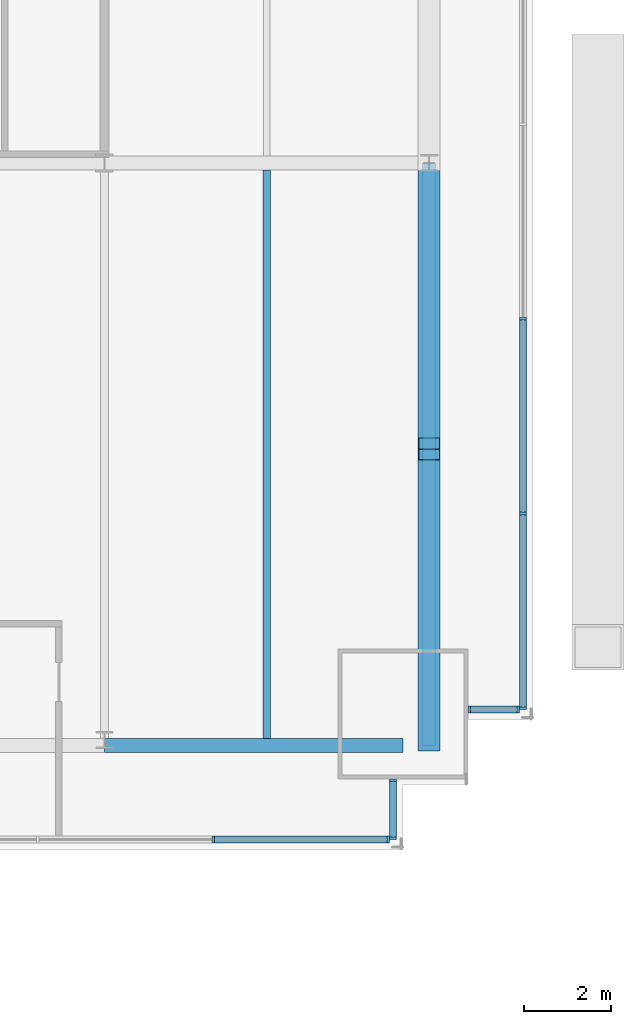
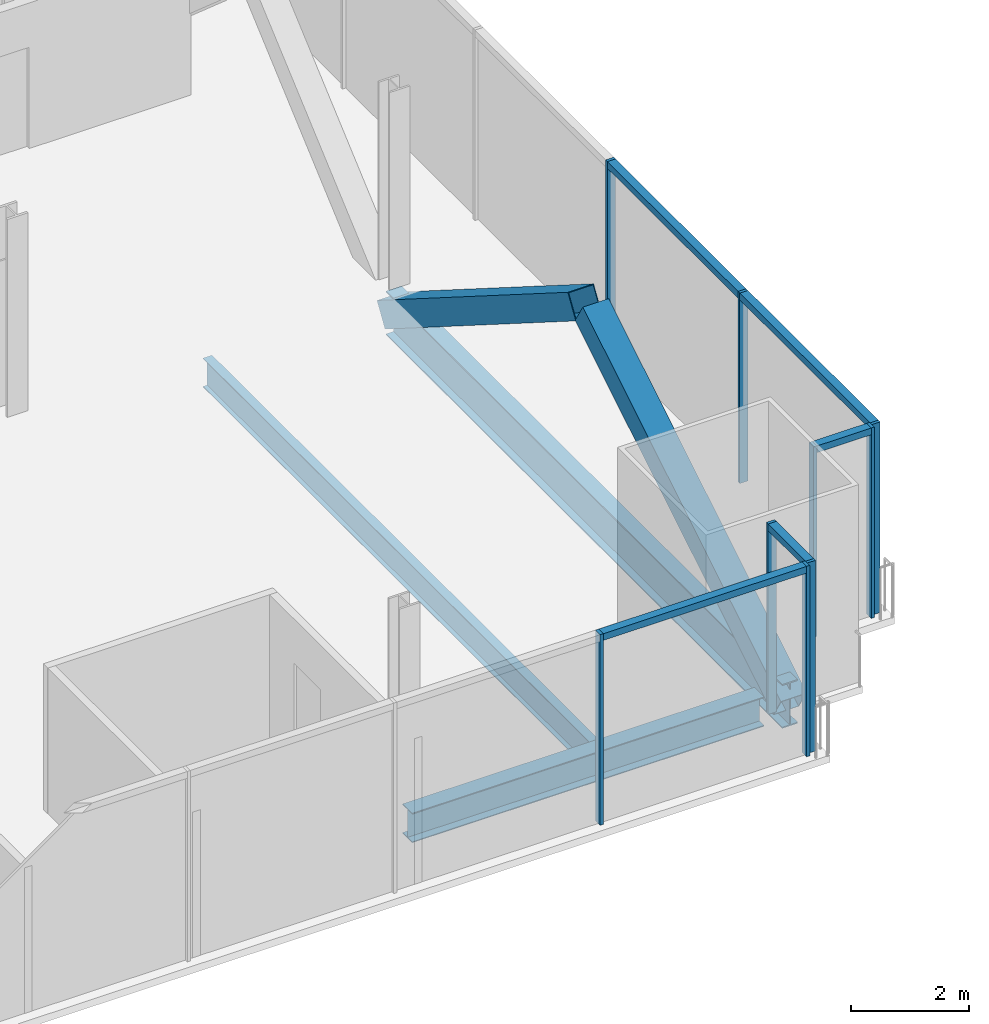
# One storey, part 13 of 23: 16 members, 3 beams, 4 elements without a shape of their own.
"""IFC4 building model written with IfcOpenShell, lengths in metres."""

from ifc_helpers import new_model, si_unit, direction, frame, origin, origin_2d, place, context, subcontext, project, spatial, rectangle, hollow_rectangle, i_section, extrude, material, material_profile, profile_set, type_object, element, aggregate, save


model = new_model("IFC4")

# Units and contexts
model_context = context("Model", 3, precision=1e-05, world=origin(), true_north=direction((0.0, 1.0)))
body_context = subcontext(model_context, "Body", "Model", "MODEL_VIEW")
ifc_project = project(units=[si_unit("LENGTHUNIT", "METRE"), si_unit("AREAUNIT", "SQUARE_METRE"), si_unit("VOLUMEUNIT", "CUBIC_METRE"), si_unit("PLANEANGLEUNIT", "RADIAN"), si_unit("MASSUNIT", "GRAM", prefix="KILO")], contexts=[model_context])

# Site, building, storey
site_placement = place(None, origin())
site = spatial("IfcSite", under=ifc_project, at=site_placement, CompositionType="ELEMENT")
building_placement = place(site_placement, origin())
building = spatial("IfcBuilding", under=site, at=building_placement, Name="Bicima Exchange Tower", CompositionType="ELEMENT")
storey_placement = place(building_placement, frame((0.0, 0.0, 110.39990234375)))
storey = spatial("IfcBuildingStorey", under=building, at=storey_placement, Name="L23", CompositionType="ELEMENT", Elevation=110.39990234375)

# Curtain wall, members
ifc_material_1 = material(Name="Anodised bronze aluminium", Category="aluminium")
curtain_wall_type_1 = type_object("IfcCurtainWallType", Name="End face glass wall", PredefinedType="NOTDEFINED", material=ifc_material_1)
curtain_wall_1_placement = place(storey_placement, origin())
curtain_wall_1 = element("IfcCurtainWall", 1, at=curtain_wall_1_placement, inside=storey, type_object=curtain_wall_type_1, Name="End face glass wall L23 run 19", PredefinedType="NOTDEFINED")
ifc_material_profile_1 = material_profile(ifc_material_1, rectangle(XDim=0.159912109375, YDim=0.06005859375, at=origin_2d()))
ifc_profile_set_1 = profile_set([ifc_material_profile_1], Name="Anodised bronze aluminium")
member_type_1 = type_object("IfcMemberType", Name="End face glass wall mullion 60 x 160", PredefinedType="MULLION", material=ifc_profile_set_1)
member_1_placement = place(storey_placement, frame((35.77001953125, -34.592041015625, 0.0), z_axis=(0.0, 0.0, 1.0), x_axis=(-1.0, 0.0, 0.0)))
member_1 = element("IfcMember", 2, at=member_1_placement, type_object=member_type_1, Name="End face glass wall mullion 1", PredefinedType="MULLION", context=body_context, shape_type="SweptSolid", body=[
    extrude(rectangle(XDim=0.159912109375, YDim=0.06005859375, at=origin_2d()), origin(), (0.0, 0.0, 1.0), 3.9501953125),
])
member_2_placement = place(storey_placement, frame((35.77001953125, -30.095703125, 0.0), z_axis=(0.0, 0.0, 1.0), x_axis=(-1.0, 0.0, 0.0)))
member_2 = element("IfcMember", 3, at=member_2_placement, type_object=member_type_1, Name="End face glass wall mullion 2", PredefinedType="MULLION", context=body_context, shape_type="SweptSolid", body=[
    extrude(rectangle(XDim=0.159912109375, YDim=0.06005859375, at=origin_2d()), origin(), (0.0, 0.0, 1.0), 3.9501953125),
])
member_3_placement = place(storey_placement, frame((35.77001953125, -25.59912109375, 0.0), z_axis=(0.0, 0.0, 1.0), x_axis=(-1.0, 0.0, 0.0)))
member_3 = element("IfcMember", 4, at=member_3_placement, type_object=member_type_1, Name="End face glass wall mullion 3", PredefinedType="MULLION", context=body_context, shape_type="SweptSolid", body=[
    extrude(rectangle(XDim=0.159912109375, YDim=0.06005859375, at=origin_2d()), origin(), (0.0, 0.0, 1.0), 3.9501953125),
])
ifc_material_profile_2 = material_profile(ifc_material_1, rectangle(XDim=0.159912109375, YDim=0.139892578125, at=origin_2d()))
ifc_profile_set_2 = profile_set([ifc_material_profile_2], Name="Anodised bronze aluminium")
member_type_2 = type_object("IfcMemberType", Name="End face glass wall transom 140 x 160", PredefinedType="USERDEFINED", material=ifc_profile_set_2)
member_4_placement = place(storey_placement, frame((35.77001953125, -34.56201171875, 3.880126953125), z_axis=(0.0, 1.0, 0.0), x_axis=(-1.0, 0.0, 0.0)))
member_4 = element("IfcMember", 5, at=member_4_placement, type_object=member_type_2, Name="End face glass wall transom 1.1", ObjectType="TRANSOM", PredefinedType="USERDEFINED", context=body_context, shape_type="SweptSolid", body=[
    extrude(rectangle(XDim=0.159912109375, YDim=0.139892578125, at=origin_2d()), origin(), (0.0, 0.0, 1.0), 4.4365234375),
])
member_5_placement = place(storey_placement, frame((35.77001953125, -30.065673828125, 3.880126953125), z_axis=(0.0, 1.0, 0.0), x_axis=(-1.0, 0.0, 0.0)))
member_5 = element("IfcMember", 6, at=member_5_placement, type_object=member_type_2, Name="End face glass wall transom 2.1", ObjectType="TRANSOM", PredefinedType="USERDEFINED", context=body_context, shape_type="SweptSolid", body=[
    extrude(rectangle(XDim=0.159912109375, YDim=0.139892578125, at=origin_2d()), origin(), (0.0, 0.0, 1.0), 4.4365234375),
])
aggregate(curtain_wall_1, [member_1, member_2, member_3, member_4, member_5])

# Beams
ifc_material_2 = material(Name="Steel ASTM A992 Gr 50", Category="steel")
ifc_material_profile_3 = material_profile(ifc_material_2, i_section(OverallWidth=0.3046875, OverallDepth=0.911865234375, WebThickness=0.015869140625, FlangeThickness=0.02392578125, at=origin_2d()))
ifc_profile_set_3 = profile_set([ifc_material_profile_3], Name="Steel ASTM A992 Gr 50")
beam_type_1 = type_object("IfcBeamType", Name="End girder W36x150", PredefinedType="BEAM", material=ifc_profile_set_3)
beam_1_placement = place(storey_placement, frame((33.60009765625, -22.0, -0.605712890625), z_axis=(0.0, -1.0, 0.0), x_axis=(1.0, 0.0, 0.0)))
element("IfcBeam", 7, at=beam_1_placement, inside=storey, type_object=beam_type_1, Name="End girder", PredefinedType="BEAM", context=body_context, shape_type="SweptSolid", body=[
    extrude(i_section(OverallWidth=0.3046875, OverallDepth=0.911865234375, WebThickness=0.015869140625, FlangeThickness=0.02392578125, at=origin_2d()), origin(), (0.0, 0.0, 1.0), 13.451904296875),
])
ifc_material_profile_4 = material_profile(ifc_material_2, i_section(OverallWidth=0.177978515625, OverallDepth=0.599365234375, WebThickness=0.010009765625, FlangeThickness=0.012939453125, at=origin_2d()))
ifc_profile_set_4 = profile_set([ifc_material_profile_4], Name="Steel ASTM A992 Gr 50")
beam_type_2 = type_object("IfcBeamType", Name="Floor beam W24x55", PredefinedType="JOIST", material=ifc_profile_set_4)
beam_2_placement = place(storey_placement, frame((29.85009765625, -22.16259765625, -0.44970703125), z_axis=(0.0, -1.0, 0.0), x_axis=(1.0, 0.0, 0.0)))
element("IfcBeam", 8, at=beam_2_placement, inside=storey, type_object=beam_type_2, Name="Floor beam", PredefinedType="JOIST", context=body_context, shape_type="SweptSolid", body=[
    extrude(i_section(OverallWidth=0.177978515625, OverallDepth=0.599365234375, WebThickness=0.010009765625, FlangeThickness=0.012939453125, at=origin_2d()), origin(), (0.0, 0.0, 1.0), 13.126708984375),
])
ifc_material_profile_5 = material_profile(ifc_material_2, i_section(OverallWidth=0.3251953125, OverallDepth=0.612060546875, WebThickness=0.0126953125, FlangeThickness=0.01904296875, at=origin_2d()))
ifc_profile_set_5 = profile_set([ifc_material_profile_5], Name="Steel ASTM A992 Gr 50")
beam_type_3 = type_object("IfcBeamType", Name="Front girder W24x104", PredefinedType="BEAM", material=ifc_profile_set_5)
beam_3_placement = place(storey_placement, frame((26.10009765625, -35.451904296875, -0.4560546875), z_axis=(1.0, 0.0, 0.0), x_axis=(0.0, 1.0, 0.0)))
element("IfcBeam", 9, at=beam_3_placement, inside=storey, type_object=beam_type_3, Name="Front girder", PredefinedType="BEAM", context=body_context, shape_type="SweptSolid", body=[
    extrude(i_section(OverallWidth=0.3251953125, OverallDepth=0.612060546875, WebThickness=0.0126953125, FlangeThickness=0.01904296875, at=origin_2d()), origin(), (0.0, 0.0, 1.0), 6.89990234375),
])

# Curtain wall, members
curtain_wall_type_2 = type_object("IfcCurtainWallType", Name="Front glass wall", PredefinedType="NOTDEFINED", material=ifc_material_1)
curtain_wall_2_placement = place(storey_placement, origin())
curtain_wall_2 = element("IfcCurtainWall", 10, at=curtain_wall_2_placement, inside=storey, type_object=curtain_wall_type_2, Name="Front glass wall L23 run 16", PredefinedType="NOTDEFINED")
member_type_3 = type_object("IfcMemberType", Name="Front glass wall mullion 60 x 160", PredefinedType="MULLION", material=ifc_profile_set_1)
member_6_placement = place(storey_placement, frame((28.610595703125, -37.6220703125, 0.0), z_axis=(0.0, 0.0, 1.0), x_axis=(0.0, 1.0, 0.0)))
member_6 = element("IfcMember", 11, at=member_6_placement, type_object=member_type_3, Name="Front glass wall mullion 4", PredefinedType="MULLION", context=body_context, shape_type="SweptSolid", body=[
    extrude(rectangle(XDim=0.159912109375, YDim=0.06005859375, at=origin_2d()), origin(), (0.0, 0.0, 1.0), 3.9501953125),
])
member_7_placement = place(storey_placement, frame((32.659912109375, -37.6220703125, 0.0), z_axis=(0.0, 0.0, 1.0), x_axis=(0.0, 1.0, 0.0)))
member_7 = element("IfcMember", 12, at=member_7_placement, type_object=member_type_3, Name="Front glass wall mullion 5", PredefinedType="MULLION", context=body_context, shape_type="SweptSolid", body=[
    extrude(rectangle(XDim=0.159912109375, YDim=0.06005859375, at=origin_2d()), origin(), (0.0, 0.0, 1.0), 3.9501953125),
])

curtain_wall_3_placement = place(storey_placement, origin())
curtain_wall_3 = element("IfcCurtainWall", 13, at=curtain_wall_3_placement, inside=storey, type_object=curtain_wall_type_2, Name="Front glass wall L23 run 17", PredefinedType="NOTDEFINED")
member_8_placement = place(storey_placement, frame((32.77001953125, -37.592041015625, 0.0), z_axis=(0.0, 0.0, 1.0), x_axis=(-1.0, 0.0, 0.0)))
member_8 = element("IfcMember", 14, at=member_8_placement, type_object=member_type_3, Name="Front glass wall mullion 1", PredefinedType="MULLION", context=body_context, shape_type="SweptSolid", body=[
    extrude(rectangle(XDim=0.159912109375, YDim=0.06005859375, at=origin_2d()), origin(), (0.0, 0.0, 1.0), 3.9501953125),
])
member_9_placement = place(storey_placement, frame((32.77001953125, -36.260009765625, 0.0), z_axis=(0.0, 0.0, 1.0), x_axis=(-1.0, 0.0, 0.0)))
member_9 = element("IfcMember", 15, at=member_9_placement, type_object=member_type_3, Name="Front glass wall mullion 2", PredefinedType="MULLION", context=body_context, shape_type="SweptSolid", body=[
    extrude(rectangle(XDim=0.159912109375, YDim=0.06005859375, at=origin_2d()), origin(), (0.0, 0.0, 1.0), 3.9501953125),
])

curtain_wall_4_placement = place(storey_placement, origin())
curtain_wall_4 = element("IfcCurtainWall", 16, at=curtain_wall_4_placement, inside=storey, type_object=curtain_wall_type_2, Name="Front glass wall L23 run 18", PredefinedType="NOTDEFINED")
member_10_placement = place(storey_placement, frame((34.530029296875, -34.6220703125, 0.0), z_axis=(0.0, 0.0, 1.0), x_axis=(0.0, 1.0, 0.0)))
member_10 = element("IfcMember", 17, at=member_10_placement, type_object=member_type_3, Name="Front glass wall mullion 1", PredefinedType="MULLION", context=body_context, shape_type="SweptSolid", body=[
    extrude(rectangle(XDim=0.159912109375, YDim=0.06005859375, at=origin_2d()), origin(), (0.0, 0.0, 1.0), 3.9501953125),
])
member_11_placement = place(storey_placement, frame((35.659912109375, -34.6220703125, 0.0), z_axis=(0.0, 0.0, 1.0), x_axis=(0.0, 1.0, 0.0)))
member_11 = element("IfcMember", 18, at=member_11_placement, type_object=member_type_3, Name="Front glass wall mullion 2", PredefinedType="MULLION", context=body_context, shape_type="SweptSolid", body=[
    extrude(rectangle(XDim=0.159912109375, YDim=0.06005859375, at=origin_2d()), origin(), (0.0, 0.0, 1.0), 3.9501953125),
])

# Member
member_type_4 = type_object("IfcMemberType", Name="Front glass wall transom 140 x 160", PredefinedType="USERDEFINED", material=ifc_profile_set_2)
member_12_placement = place(storey_placement, frame((28.640380859375, -37.6220703125, 3.880126953125), z_axis=(1.0, 0.0, 0.0), x_axis=(0.0, 1.0, 0.0)))
member_12 = element("IfcMember", 19, at=member_12_placement, type_object=member_type_4, Name="Front glass wall transom 4.1", ObjectType="TRANSOM", PredefinedType="USERDEFINED", context=body_context, shape_type="SweptSolid", body=[
    extrude(rectangle(XDim=0.159912109375, YDim=0.139892578125, at=origin_2d()), origin(), (0.0, 0.0, 1.0), 3.989501953125),
])

aggregate(curtain_wall_2, [member_6, member_7, member_12])

member_13_placement = place(storey_placement, frame((32.77001953125, -37.56201171875, 3.880126953125), z_axis=(0.0, 1.0, 0.0), x_axis=(-1.0, 0.0, 0.0)))
member_13 = element("IfcMember", 20, at=member_13_placement, type_object=member_type_4, Name="Front glass wall transom 1.1", ObjectType="TRANSOM", PredefinedType="USERDEFINED", context=body_context, shape_type="SweptSolid", body=[
    extrude(rectangle(XDim=0.159912109375, YDim=0.139892578125, at=origin_2d()), origin(), (0.0, 0.0, 1.0), 1.27197265625),
])

aggregate(curtain_wall_3, [member_8, member_9, member_13])

member_14_placement = place(storey_placement, frame((34.56005859375, -34.6220703125, 3.880126953125), z_axis=(1.0, 0.0, 0.0), x_axis=(0.0, 1.0, 0.0)))
member_14 = element("IfcMember", 21, at=member_14_placement, type_object=member_type_4, Name="Front glass wall transom 1.1", ObjectType="TRANSOM", PredefinedType="USERDEFINED", context=body_context, shape_type="SweptSolid", body=[
    extrude(rectangle(XDim=0.159912109375, YDim=0.139892578125, at=origin_2d()), origin(), (0.0, 0.0, 1.0), 1.06982421875),
])

aggregate(curtain_wall_4, [member_10, member_11, member_14])

# Members
ifc_material_3 = material(Name="Steel ASTM A572 Gr 50", Category="steel")
ifc_material_profile_6 = material_profile(ifc_material_3, hollow_rectangle(XDim=0.508056640625, YDim=0.508056640625, WallThickness=0.0146484375, at=origin_2d()))
ifc_profile_set_6 = profile_set([ifc_material_profile_6], Name="Steel ASTM A572 Gr 50")
member_type_5 = type_object("IfcMemberType", Name="Mega brace HSS20x20x5/8", PredefinedType="BRACE", material=ifc_profile_set_6)
member_15_placement = place(storey_placement, frame((33.60009765625, -22.0, -0.605712890625), z_axis=(0.0, -0.845135479116, 0.534552169521), x_axis=(1.0, 0.0, 0.0)))
element("IfcMember", 22, at=member_15_placement, inside=storey, type_object=member_type_5, Name="Mega brace east end", PredefinedType="BRACE", context=body_context, shape_type="SweptSolid", body=[
    extrude(hollow_rectangle(XDim=0.508056640625, YDim=0.508056640625, WallThickness=0.0146484375, at=origin_2d()), origin(), (0.0, 0.0, 1.0), 7.669677734375),
])
member_16_placement = place(storey_placement, frame((33.60009765625, -35.451904296875, -0.605712890625), z_axis=(0.0, 0.85386740407, 0.52049059191), x_axis=(-1.0, 0.0, 0.0)))
element("IfcMember", 23, at=member_16_placement, inside=storey, type_object=member_type_5, Name="Mega brace east end", PredefinedType="BRACE", context=body_context, shape_type="SweptSolid", body=[
    extrude(hollow_rectangle(XDim=0.508056640625, YDim=0.508056640625, WallThickness=0.0146484375, at=origin_2d()), origin(), (0.0, 0.0, 1.0), 7.876953125),
])

save(model, "model.ifc")
